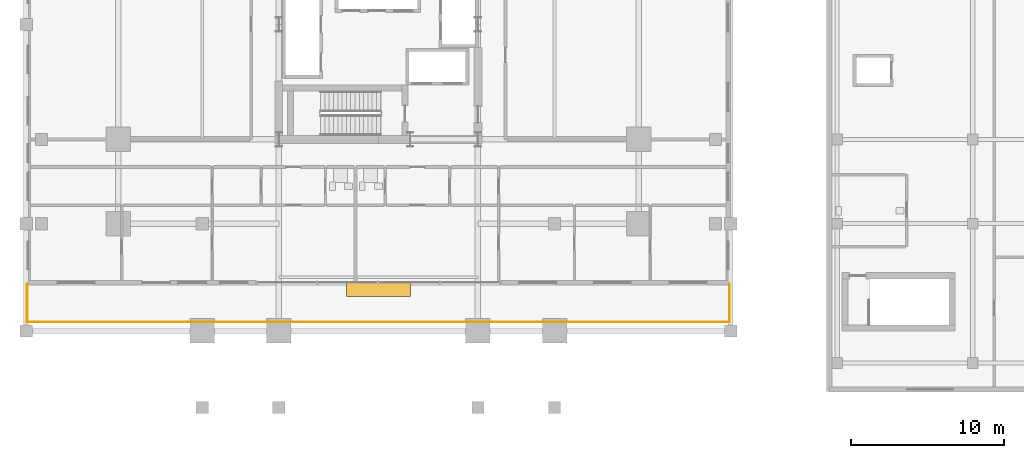
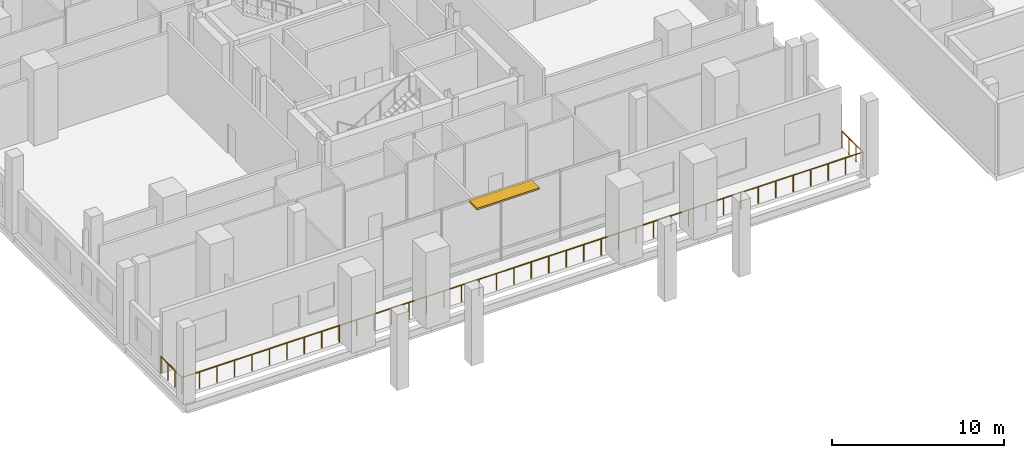
# One storey, part 22 of 25: 1 railing, 1 shading device.
"""IFC4 building model written with IfcOpenShell, lengths in metres."""

from ifc_helpers import new_model, si_unit, direction, frame, origin, origin_2d, place, context, subcontext, project, spatial, rectangle, circle, extrude, material, layer, layer_set, type_object, element, save


model = new_model("IFC4")

# Units and contexts
model_context = context("Model", 3, precision=1e-05, world=origin(), true_north=direction((0.0, 1.0)))
body_context = subcontext(model_context, "Body", "Model", "MODEL_VIEW")
ifc_project = project(units=[si_unit("LENGTHUNIT", "METRE"), si_unit("AREAUNIT", "SQUARE_METRE"), si_unit("VOLUMEUNIT", "CUBIC_METRE"), si_unit("PLANEANGLEUNIT", "RADIAN"), si_unit("MASSUNIT", "GRAM", prefix="KILO")], contexts=[model_context])

# Site, building, storey
site_placement = place(None, origin())
site = spatial("IfcSite", under=ifc_project, at=site_placement, CompositionType="ELEMENT")
building_placement = place(site_placement, origin())
building = spatial("IfcBuilding", under=site, at=building_placement, Name="Barlavira Tower and Art Museum", CompositionType="ELEMENT")
storey_placement = place(building_placement, frame((0.0, 0.0, 22.199951171875)))
storey = spatial("IfcBuildingStorey", under=building, at=storey_placement, Name="L04", CompositionType="ELEMENT", Elevation=22.199951171875)

# Shading device
ifc_material_1 = material(Name="Pale anodised aluminium", Category="aluminium")
ifc_layer = layer(ifc_material_1, 0.1201171875, Name="Pale anodised aluminium")
ifc_layer_set = layer_set([ifc_layer], Name="Pale anodised aluminium")
shading_device_type = type_object("IfcShadingDeviceType", Name="Podium Cascade Horizontal Sun-Visor Jalousie 900", PredefinedType="JALOUSIE", material=ifc_layer_set)
shading_device_placement = place(storey_placement, frame((0.0, -17.300048828125, 4.7900390625), z_axis=(0.0, 0.0, 1.0), x_axis=(1.0, 0.0, 0.0)))
element("IfcShadingDevice", 1, at=shading_device_placement, inside=storey, type_object=shading_device_type, Name="L04 South Cascade Sun-Visor Jalousie", PredefinedType="JALOUSIE", context=body_context, shape_type="SweptSolid", body=[
    extrude(rectangle(XDim=4.199951171875, YDim=0.89990234375, at=origin_2d()), origin(), (0.0, 0.0, 1.0), 0.1201171875),
])

# Railing
ifc_material_2 = material(Name="Laminated safety glass and stainless steel", Category="steel")
railing_type = type_object("IfcRailingType", Name="Terrace and Wind-Floor Laminated Glass Balustrade 1200", PredefinedType="BALUSTRADE", material=ifc_material_2)
railing_placement = place(storey_placement, frame((-22.919921875, -16.949951171875, 0.0)))
element("IfcRailing", 2, at=railing_placement, inside=storey, type_object=railing_type, Name="L04 South Cascade Terrace Balustrade", PredefinedType="BALUSTRADE", context=body_context, shape_type="SweptSolid", body=[
    extrude(circle(Radius=0.02392578125, at=origin_2d()), frame((0.0, 0.0, 1.17578125), z_axis=(0.0, -1.0, 0.0), x_axis=(1.0, 0.0, 0.0)), (0.0, 0.0, 1.0), 2.469970703125),
    extrude(circle(Radius=0.02392578125, at=origin_2d()), frame((0.0, -2.469970703125, 1.17578125), z_axis=(1.0, 0.0, 0.0), x_axis=(0.0, 1.0, 0.0)), (0.0, 0.0, 1.0), 45.83984375),
    extrude(circle(Radius=0.02392578125, at=origin_2d()), frame((45.83984375, -2.469970703125, 1.17578125), z_axis=(0.0, 1.0, 0.0), x_axis=(-1.0, 0.0, 0.0)), (0.0, 0.0, 1.0), 2.469970703125),
    extrude(circle(Radius=0.02099609375, at=origin_2d()), origin(), (0.0, 0.0, 1.0), 1.15185546875),
    extrude(circle(Radius=0.02099609375, at=origin_2d()), frame((0.0, -0.8232421875, 0.0)), (0.0, 0.0, 1.0), 1.15185546875),
    extrude(circle(Radius=0.02099609375, at=origin_2d()), frame((0.0, -1.646728515625, 0.0)), (0.0, 0.0, 1.0), 1.15185546875),
    extrude(circle(Radius=0.02099609375, at=origin_2d()), frame((0.0, -2.469970703125, 0.0)), (0.0, 0.0, 1.0), 1.15185546875),
    extrude(circle(Radius=0.02099609375, at=origin_2d()), frame((1.17529296875, -2.469970703125, 0.0)), (0.0, 0.0, 1.0), 1.15185546875),
    extrude(circle(Radius=0.02099609375, at=origin_2d()), frame((2.350830078125, -2.469970703125, 0.0)), (0.0, 0.0, 1.0), 1.15185546875),
    extrude(circle(Radius=0.02099609375, at=origin_2d()), frame((3.526123046875, -2.469970703125, 0.0)), (0.0, 0.0, 1.0), 1.15185546875),
    extrude(circle(Radius=0.02099609375, at=origin_2d()), frame((4.701416015625, -2.469970703125, 0.0)), (0.0, 0.0, 1.0), 1.15185546875),
    extrude(circle(Radius=0.02099609375, at=origin_2d()), frame((5.876953125, -2.469970703125, 0.0)), (0.0, 0.0, 1.0), 1.15185546875),
    extrude(circle(Radius=0.02099609375, at=origin_2d()), frame((7.05224609375, -2.469970703125, 0.0)), (0.0, 0.0, 1.0), 1.15185546875),
    extrude(circle(Radius=0.02099609375, at=origin_2d()), frame((8.227783203125, -2.469970703125, 0.0)), (0.0, 0.0, 1.0), 1.15185546875),
    extrude(circle(Radius=0.02099609375, at=origin_2d()), frame((9.403076171875, -2.469970703125, 0.0)), (0.0, 0.0, 1.0), 1.15185546875),
    extrude(circle(Radius=0.02099609375, at=origin_2d()), frame((10.578369140625, -2.469970703125, 0.0)), (0.0, 0.0, 1.0), 1.15185546875),
    extrude(circle(Radius=0.02099609375, at=origin_2d()), frame((11.75390625, -2.469970703125, 0.0)), (0.0, 0.0, 1.0), 1.15185546875),
    extrude(circle(Radius=0.02099609375, at=origin_2d()), frame((12.92919921875, -2.469970703125, 0.0)), (0.0, 0.0, 1.0), 1.15185546875),
    extrude(circle(Radius=0.02099609375, at=origin_2d()), frame((14.1044921875, -2.469970703125, 0.0)), (0.0, 0.0, 1.0), 1.15185546875),
    extrude(circle(Radius=0.02099609375, at=origin_2d()), frame((15.280029296875, -2.469970703125, 0.0)), (0.0, 0.0, 1.0), 1.15185546875),
    extrude(circle(Radius=0.02099609375, at=origin_2d()), frame((16.455322265625, -2.469970703125, 0.0)), (0.0, 0.0, 1.0), 1.15185546875),
    extrude(circle(Radius=0.02099609375, at=origin_2d()), frame((17.630615234375, -2.469970703125, 0.0)), (0.0, 0.0, 1.0), 1.15185546875),
    extrude(circle(Radius=0.02099609375, at=origin_2d()), frame((18.80615234375, -2.469970703125, 0.0)), (0.0, 0.0, 1.0), 1.15185546875),
    extrude(circle(Radius=0.02099609375, at=origin_2d()), frame((19.9814453125, -2.469970703125, 0.0)), (0.0, 0.0, 1.0), 1.15185546875),
    extrude(circle(Radius=0.02099609375, at=origin_2d()), frame((21.15673828125, -2.469970703125, 0.0)), (0.0, 0.0, 1.0), 1.15185546875),
    extrude(circle(Radius=0.02099609375, at=origin_2d()), frame((22.332275390625, -2.469970703125, 0.0)), (0.0, 0.0, 1.0), 1.15185546875),
    extrude(circle(Radius=0.02099609375, at=origin_2d()), frame((23.507568359375, -2.469970703125, 0.0)), (0.0, 0.0, 1.0), 1.15185546875),
    extrude(circle(Radius=0.02099609375, at=origin_2d()), frame((24.68310546875, -2.469970703125, 0.0)), (0.0, 0.0, 1.0), 1.15185546875),
    extrude(circle(Radius=0.02099609375, at=origin_2d()), frame((25.8583984375, -2.469970703125, 0.0)), (0.0, 0.0, 1.0), 1.15185546875),
    extrude(circle(Radius=0.02099609375, at=origin_2d()), frame((27.03369140625, -2.469970703125, 0.0)), (0.0, 0.0, 1.0), 1.15185546875),
    extrude(circle(Radius=0.02099609375, at=origin_2d()), frame((28.209228515625, -2.469970703125, 0.0)), (0.0, 0.0, 1.0), 1.15185546875),
    extrude(circle(Radius=0.02099609375, at=origin_2d()), frame((29.384521484375, -2.469970703125, 0.0)), (0.0, 0.0, 1.0), 1.15185546875),
    extrude(circle(Radius=0.02099609375, at=origin_2d()), frame((30.559814453125, -2.469970703125, 0.0)), (0.0, 0.0, 1.0), 1.15185546875),
    extrude(circle(Radius=0.02099609375, at=origin_2d()), frame((31.7353515625, -2.469970703125, 0.0)), (0.0, 0.0, 1.0), 1.15185546875),
    extrude(circle(Radius=0.02099609375, at=origin_2d()), frame((32.91064453125, -2.469970703125, 0.0)), (0.0, 0.0, 1.0), 1.15185546875),
    extrude(circle(Radius=0.02099609375, at=origin_2d()), frame((34.0859375, -2.469970703125, 0.0)), (0.0, 0.0, 1.0), 1.15185546875),
    extrude(circle(Radius=0.02099609375, at=origin_2d()), frame((35.261474609375, -2.469970703125, 0.0)), (0.0, 0.0, 1.0), 1.15185546875),
    extrude(circle(Radius=0.02099609375, at=origin_2d()), frame((36.436767578125, -2.469970703125, 0.0)), (0.0, 0.0, 1.0), 1.15185546875),
    extrude(circle(Radius=0.02099609375, at=origin_2d()), frame((37.612060546875, -2.469970703125, 0.0)), (0.0, 0.0, 1.0), 1.15185546875),
    extrude(circle(Radius=0.02099609375, at=origin_2d()), frame((38.78759765625, -2.469970703125, 0.0)), (0.0, 0.0, 1.0), 1.15185546875),
    extrude(circle(Radius=0.02099609375, at=origin_2d()), frame((39.962890625, -2.469970703125, 0.0)), (0.0, 0.0, 1.0), 1.15185546875),
    extrude(circle(Radius=0.02099609375, at=origin_2d()), frame((41.138427734375, -2.469970703125, 0.0)), (0.0, 0.0, 1.0), 1.15185546875),
    extrude(circle(Radius=0.02099609375, at=origin_2d()), frame((42.313720703125, -2.469970703125, 0.0)), (0.0, 0.0, 1.0), 1.15185546875),
    extrude(circle(Radius=0.02099609375, at=origin_2d()), frame((43.489013671875, -2.469970703125, 0.0)), (0.0, 0.0, 1.0), 1.15185546875),
    extrude(circle(Radius=0.02099609375, at=origin_2d()), frame((44.66455078125, -2.469970703125, 0.0)), (0.0, 0.0, 1.0), 1.15185546875),
    extrude(circle(Radius=0.02099609375, at=origin_2d()), frame((45.83984375, -2.469970703125, 0.0)), (0.0, 0.0, 1.0), 1.15185546875),
    extrude(circle(Radius=0.02099609375, at=origin_2d()), frame((45.83984375, -1.646728515625, 0.0)), (0.0, 0.0, 1.0), 1.15185546875),
    extrude(circle(Radius=0.02099609375, at=origin_2d()), frame((45.83984375, -0.8232421875, 0.0)), (0.0, 0.0, 1.0), 1.15185546875),
    extrude(circle(Radius=0.02099609375, at=origin_2d()), frame((45.83984375, 0.0, 0.0)), (0.0, 0.0, 1.0), 1.15185546875),
])

save(model, "model.ifc")
